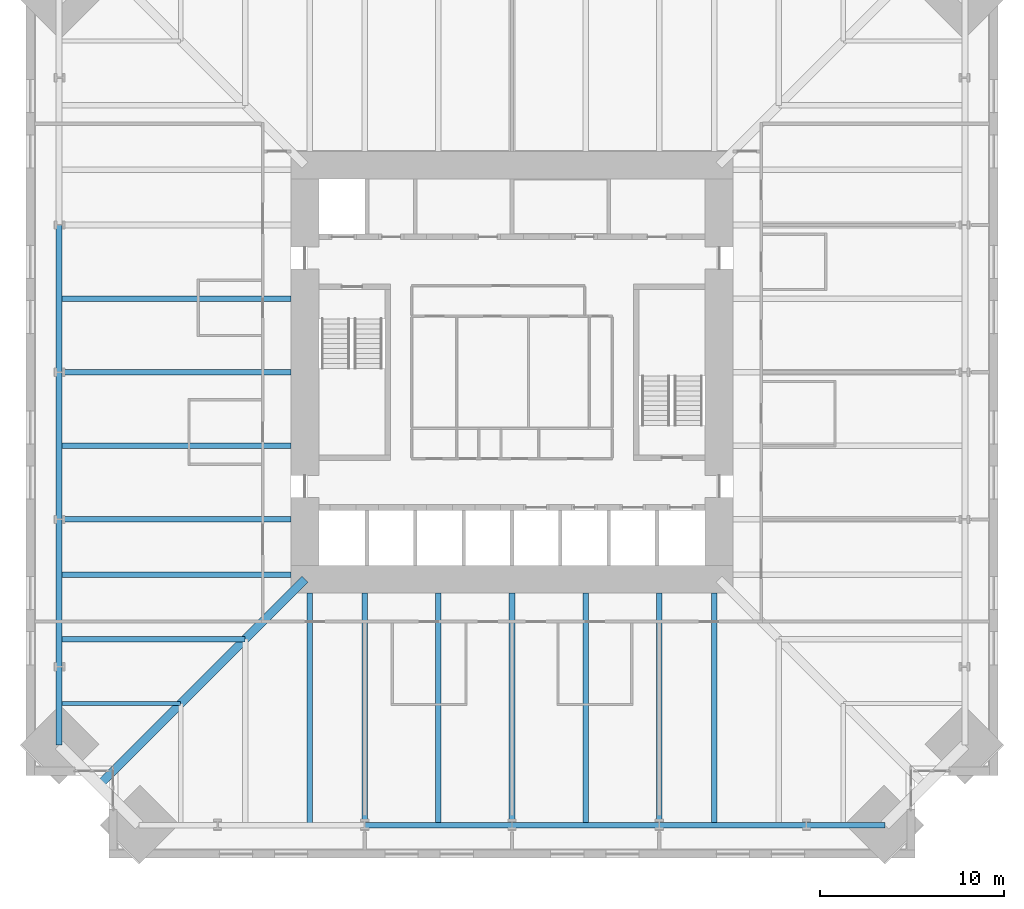
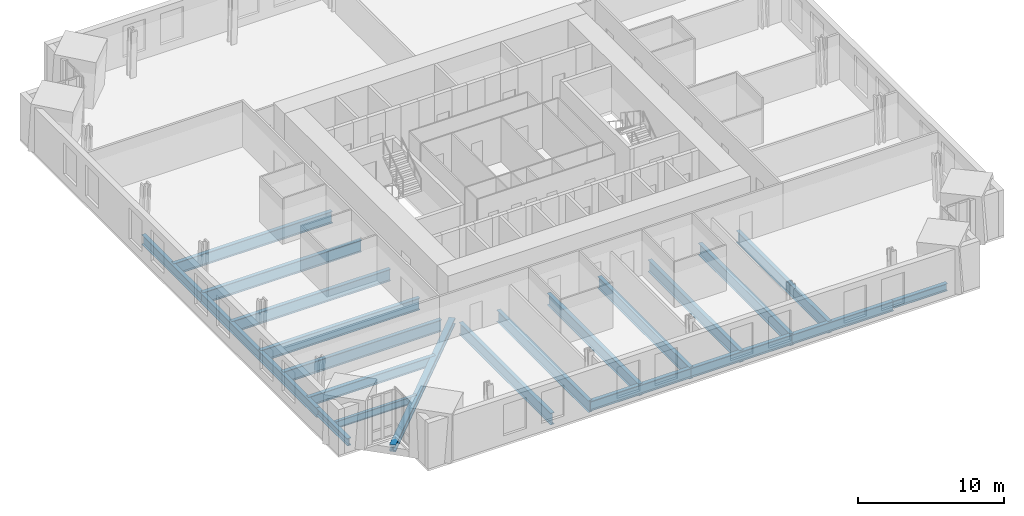
# One storey, part 3 of 18: 23 beams.
"""IFC4 building model written with IfcOpenShell, lengths in metres."""

from ifc_helpers import new_model, si_unit, direction, frame, origin, origin_2d, place, context, subcontext, project, spatial, i_section, extrude, material, material_profile, profile_set, type_object, element, save


model = new_model("IFC4")

# Units and contexts
model_context = context("Model", 3, precision=1e-05, world=origin(), true_north=direction((0.0, 1.0)))
body_context = subcontext(model_context, "Body", "Model", "MODEL_VIEW")
ifc_project = project(units=[si_unit("LENGTHUNIT", "METRE"), si_unit("AREAUNIT", "SQUARE_METRE"), si_unit("VOLUMEUNIT", "CUBIC_METRE"), si_unit("PLANEANGLEUNIT", "RADIAN"), si_unit("MASSUNIT", "GRAM", prefix="KILO")], contexts=[model_context])

# Site, building, storey
site_placement = place(None, origin())
site = spatial("IfcSite", under=ifc_project, at=site_placement, CompositionType="ELEMENT")
building_placement = place(site_placement, origin())
building = spatial("IfcBuilding", under=site, at=building_placement, Name="Peilmerk Tower", CompositionType="ELEMENT")
storey_placement = place(building_placement, frame((0.0, 0.0, 155.800048828125)))
storey = spatial("IfcBuildingStorey", under=building, at=storey_placement, Name="L32", CompositionType="ELEMENT", Elevation=155.800048828125)

# Beams
ifc_material_1 = material(Name="Steel S355", Category="steel")
ifc_material_profile_1 = material_profile(ifc_material_1, i_section(OverallWidth=0.219970703125, OverallDepth=0.60009765625, WebThickness=0.011962890625, FlangeThickness=0.01904296875, at=origin_2d()), Name="IPE 600")
ifc_profile_set_1 = profile_set([ifc_material_profile_1], Name="Steel S355")
beam_type_1 = type_object("IfcBeamType", Name="B10 IPE 600 floor beam", PredefinedType="BEAM", material=ifc_profile_set_1)
beam_1_placement = place(storey_placement, frame((-18.0, -18.0, -0.469970703125), z_axis=(-1.0, 0.0, 0.0), x_axis=(0.0, -1.0, 0.0)))
element("IfcBeam", 1, at=beam_1_placement, inside=storey, type_object=beam_type_1, Name="Floor beam L32", PredefinedType="BEAM", context=body_context, shape_type="SweptSolid", body=[
    extrude(i_section(OverallWidth=0.219970703125, OverallDepth=0.60009765625, WebThickness=0.011962890625, FlangeThickness=0.01904296875, at=origin_2d()), origin(), (0.0, 0.0, 1.0), 6.614501953125),
])
ifc_material_profile_2 = material_profile(ifc_material_1, i_section(OverallWidth=0.300048828125, OverallDepth=0.989990234375, WebThickness=0.0166015625, FlangeThickness=0.031005859375, at=origin_2d()), Name="HEA 1000")
ifc_profile_set_2 = profile_set([ifc_material_profile_2], Name="Steel S355")
beam_type_2 = type_object("IfcBeamType", Name="B14 HEA 1000 floor girder", PredefinedType="BEAM", material=ifc_profile_set_2)
for number, where, z_axis, x_axis, name in (
    (2, (-11.0, -12.0, -0.6650390625), (0.0, -1.0, 0.0), (1.0, 0.0, 0.0), "Floor beam L32"),
    (3, (-8.0, -12.0, -0.6650390625), (0.0, -1.0, 0.0), (1.0, 0.0, 0.0), "Floor beam L32"),
    (4, (-4.0, -12.0, -0.6650390625), (0.0, -1.0, 0.0), (1.0, 0.0, 0.0), "Floor beam L32"),
    (5, (0.0, -12.0, -0.6650390625), (0.0, -1.0, 0.0), (1.0, 0.0, 0.0), "Floor beam L32"),
    (6, (4.0, -12.0, -0.6650390625), (0.0, -1.0, 0.0), (1.0, 0.0, 0.0), "Floor beam L32"),
    (7, (8.0, -12.0, -0.6650390625), (0.0, -1.0, 0.0), (1.0, 0.0, 0.0), "Floor beam L32"),
    (8, (11.0, -12.0, -0.6650390625), (0.0, -1.0, 0.0), (1.0, 0.0, 0.0), "Floor beam L32"),
    (9, (-12.0, 4.0, -0.6650390625), (-1.0, 0.0, 0.0), (0.0, -1.0, 0.0), "Floor beam L32"),
    (10, (-12.0, 0.0, -0.6650390625), (-1.0, 0.0, 0.0), (0.0, -1.0, 0.0), "Floor beam L32"),
    (11, (-12.0, -4.0, -0.6650390625), (-1.0, 0.0, 0.0), (0.0, -1.0, 0.0), "Floor beam L32"),
    (12, (-12.0, -8.0, -0.6650390625), (-1.0, 0.0, 0.0), (0.0, -1.0, 0.0), "Floor beam L32"),
    (13, (-12.0, -11.0, -0.6650390625), (-1.0, 0.0, 0.0), (0.0, -1.0, 0.0), "Floor beam L32"),
):
    element("IfcBeam", number, at=place(storey_placement, frame(where, z_axis=z_axis, x_axis=x_axis)), inside=storey, type_object=beam_type_2, Name=name, PredefinedType="BEAM", context=body_context, shape_type="SweptSolid", body=[
        extrude(i_section(OverallWidth=0.300048828125, OverallDepth=0.989990234375, WebThickness=0.0166015625, FlangeThickness=0.031005859375, at=origin_2d()), origin(), (0.0, 0.0, 1.0), 12.614501953125),
    ])
ifc_material_profile_3 = material_profile(ifc_material_1, i_section(OverallWidth=0.302978515625, OverallDepth=0.81396484375, WebThickness=0.02099609375, FlangeThickness=0.0400390625, at=origin_2d()), Name="HEM 800")
ifc_profile_set_3 = profile_set([ifc_material_profile_3], Name="Steel S355")
beam_type_3 = type_object("IfcBeamType", Name="B15 HEM 800 edge beam", PredefinedType="SPANDREL", material=ifc_profile_set_3)
for number, where, z_axis, x_axis, name in (
    (14, (-8.0, -24.614501953125, -0.5771484375), (1.0, 0.0, 0.0), (0.0, 1.0, 0.0), "Edge beam L32"),
    (15, (0.0, -24.614501953125, -0.5771484375), (1.0, 0.0, 0.0), (0.0, 1.0, 0.0), "Edge beam L32"),
    (16, (8.0, -24.614501953125, -0.5771484375), (1.0, 0.0, 0.0), (0.0, 1.0, 0.0), "Edge beam L32"),
    (17, (-24.614501953125, 8.0, -0.5771484375), (0.0, -1.0, 0.0), (1.0, 0.0, 0.0), "Edge beam L32"),
    (18, (-24.614501953125, 0.0, -0.5771484375), (0.0, -1.0, 0.0), (1.0, 0.0, 0.0), "Edge beam L32"),
    (19, (-24.614501953125, -8.0, -0.5771484375), (0.0, -1.0, 0.0), (1.0, 0.0, 0.0), "Edge beam L32"),
):
    element("IfcBeam", number, at=place(storey_placement, frame(where, z_axis=z_axis, x_axis=x_axis)), inside=storey, type_object=beam_type_3, Name=name, PredefinedType="SPANDREL", context=body_context, shape_type="SweptSolid", body=[
        extrude(i_section(OverallWidth=0.302978515625, OverallDepth=0.81396484375, WebThickness=0.02099609375, FlangeThickness=0.0400390625, at=origin_2d()), origin(), (0.0, 0.0, 1.0), 8.0),
    ])
ifc_material_profile_4 = material_profile(ifc_material_1, i_section(OverallWidth=0.300048828125, OverallDepth=0.7900390625, WebThickness=0.014892578125, FlangeThickness=0.028076171875, at=origin_2d()), Name="HEA 800")
ifc_profile_set_4 = profile_set([ifc_material_profile_4], Name="Steel S355")
beam_type_4 = type_object("IfcBeamType", Name="B3 HEA 800 floor beam", PredefinedType="BEAM", material=ifc_profile_set_4)
beam_2_placement = place(storey_placement, frame((-14.5, -14.5, -0.56494140625), z_axis=(-1.0, 0.0, 0.0), x_axis=(0.0, -1.0, 0.0)))
element("IfcBeam", 20, at=beam_2_placement, inside=storey, type_object=beam_type_4, Name="Floor beam L32", PredefinedType="BEAM", context=body_context, shape_type="SweptSolid", body=[
    extrude(i_section(OverallWidth=0.300048828125, OverallDepth=0.7900390625, WebThickness=0.014892578125, FlangeThickness=0.028076171875, at=origin_2d()), origin(), (0.0, 0.0, 1.0), 10.114501953125),
])
ifc_material_profile_5 = material_profile(ifc_material_1, i_section(OverallWidth=0.304931640625, OverallDepth=0.6201171875, WebThickness=0.02099609375, FlangeThickness=0.0400390625, at=origin_2d()), Name="HEM 600")
ifc_profile_set_5 = profile_set([ifc_material_profile_5], Name="Steel S355")
beam_type_5 = type_object("IfcBeamType", Name="B31 HEM 600 edge beam", PredefinedType="SPANDREL", material=ifc_profile_set_5)
for number, where, z_axis, x_axis, name in (
    (21, (16.0, -24.614501953125, -0.47998046875), (1.0, 0.0, 0.0), (0.0, 1.0, 0.0), "Edge beam L32"),
    (22, (-24.614501953125, -16.0, -0.47998046875), (0.0, -1.0, 0.0), (1.0, 0.0, 0.0), "Edge beam L32"),
):
    element("IfcBeam", number, at=place(storey_placement, frame(where, z_axis=z_axis, x_axis=x_axis)), inside=storey, type_object=beam_type_5, Name=name, PredefinedType="SPANDREL", context=body_context, shape_type="SweptSolid", body=[
        extrude(i_section(OverallWidth=0.304931640625, OverallDepth=0.6201171875, WebThickness=0.02099609375, FlangeThickness=0.0400390625, at=origin_2d()), origin(), (0.0, 0.0, 1.0), 4.264404296875),
    ])
ifc_material_2 = material(Name="Steel S460", Category="steel")
ifc_material_profile_6 = material_profile(ifc_material_2, i_section(OverallWidth=0.4541015625, OverallDepth=0.569091796875, WebThickness=0.077880859375, FlangeThickness=0.125, at=origin_2d()), Name="HD 400x1086")
ifc_profile_set_6 = profile_set([ifc_material_profile_6], Name="Steel S460")
beam_type_6 = type_object("IfcBeamType", Name="B9 HD 400x1086 corner girder", PredefinedType="BEAM", material=ifc_profile_set_6)
beam_3_placement = place(storey_placement, frame((-11.25, -11.25, -0.45458984375), z_axis=(-0.707106781187, -0.707106781187, 0.0), x_axis=(0.707106781187, -0.707106781187, 0.0)))
element("IfcBeam", 23, at=beam_3_placement, inside=storey, type_object=beam_type_6, Name="Corner girder L32", PredefinedType="BEAM", context=body_context, shape_type="SweptSolid", body=[
    extrude(i_section(OverallWidth=0.4541015625, OverallDepth=0.569091796875, WebThickness=0.077880859375, FlangeThickness=0.125, at=origin_2d()), origin(), (0.0, 0.0, 1.0), 15.82421875),
])

save(model, "model.ifc")
